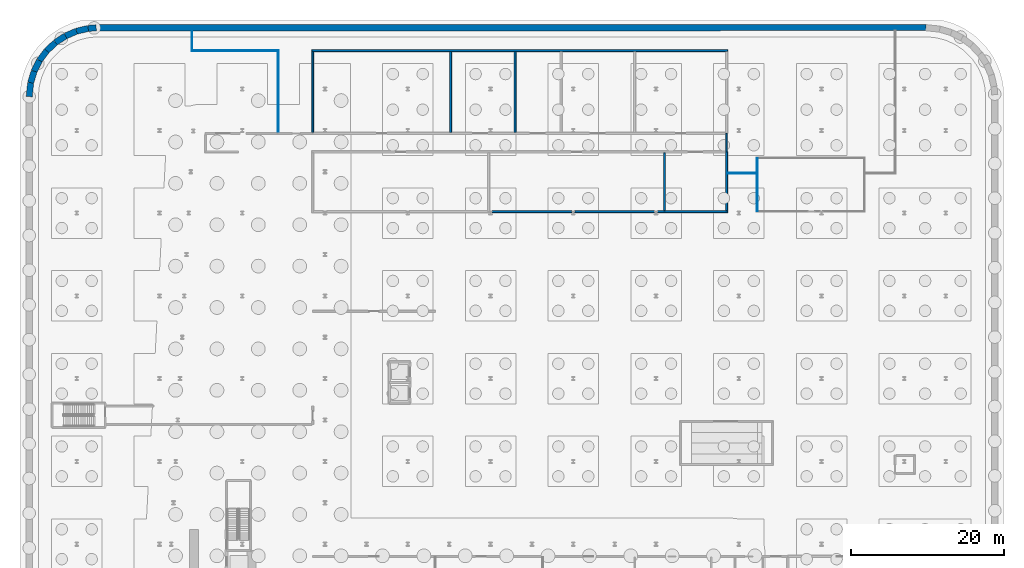
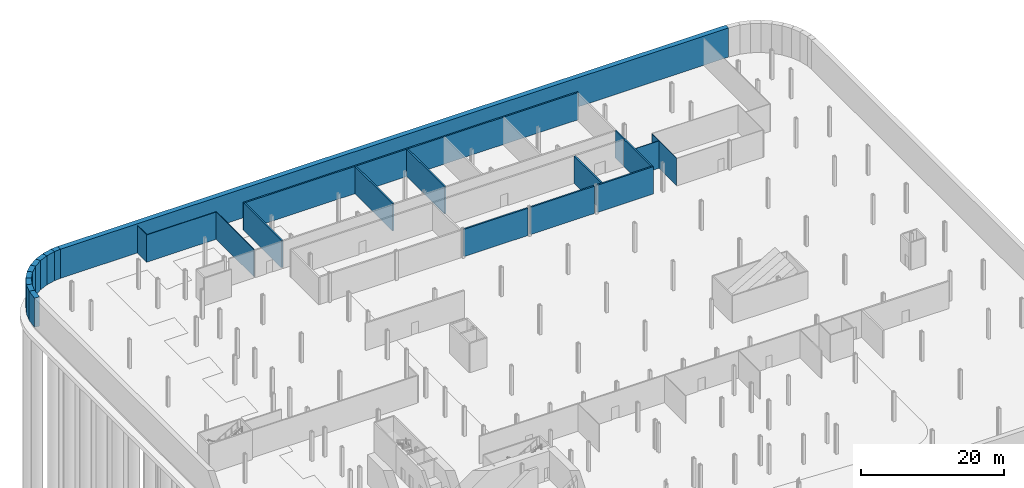
# One storey, part 17 of 23: 25 walls.
"""IFC4 building model written with IfcOpenShell, lengths in metres."""

from ifc_helpers import new_model, si_unit, direction, frame, frame_2d, origin, place, context, subcontext, project, spatial, rectangle, extrude, material, layer, layer_set, type_object, element, save


model = new_model("IFC4")

# Units and contexts
model_context = context("Model", 3, precision=1e-05, world=origin(), true_north=direction((0.0, 1.0)))
body_context = subcontext(model_context, "Body", "Model", "MODEL_VIEW")
ifc_project = project(units=[si_unit("LENGTHUNIT", "METRE"), si_unit("AREAUNIT", "SQUARE_METRE"), si_unit("VOLUMEUNIT", "CUBIC_METRE"), si_unit("PLANEANGLEUNIT", "RADIAN"), si_unit("MASSUNIT", "GRAM", prefix="KILO")], contexts=[model_context])

# Site, building, storey
site_placement = place(None, origin())
site = spatial("IfcSite", under=ifc_project, at=site_placement, CompositionType="ELEMENT")
building_placement = place(site_placement, origin())
building = spatial("IfcBuilding", under=site, at=building_placement, Name="Kheshtan School and Residences Tower", CompositionType="ELEMENT")
storey_placement = place(building_placement, frame((0.0, 0.0, -15.0)))
storey = spatial("IfcBuildingStorey", under=building, at=storey_placement, Name="B3", CompositionType="ELEMENT", Elevation=-15.0)

# Walls
ifc_material_1 = material(Name="Concrete C35/45", Category="concrete")
ifc_layer_1 = layer(ifc_material_1, 0.800048828125)
ifc_layer_set_1 = layer_set([ifc_layer_1], Name="Basement wall 800 Concrete C35/45")
wall_type_1 = type_object("IfcWallType", Name="Basement wall 800 Concrete C35/45", PredefinedType="SOLIDWALL", material=ifc_layer_set_1)
wall_1_placement = place(storey_placement, frame((9.0, 104.0, 0.0), z_axis=(0.0, 0.0, 1.0), x_axis=(0.105567043429, 0.994412187849, 0.0)))
element("IfcWall", 1, at=wall_1_placement, inside=storey, type_object=wall_type_1, Name="Secant pile wall 1", PredefinedType="SOLIDWALL", context=body_context, shape_type="SweptSolid", body=[
    extrude(rectangle(XDim=1.829345703125, YDim=0.800048828125, at=frame_2d((0.91455078125, 0.0))), origin(), (0.0, 0.0, 1.0), 5.0),
])
wall_2_placement = place(storey_placement, frame((9.193115234375, 105.819091796875, 0.0), z_axis=(0.0, 0.0, 1.0), x_axis=(0.287147763375, 0.957886299092, 0.0)))
element("IfcWall", 2, at=wall_2_placement, inside=storey, type_object=wall_type_1, Name="Secant pile wall 2", PredefinedType="SOLIDWALL", context=body_context, shape_type="SweptSolid", body=[
    extrude(rectangle(XDim=1.56689453125, YDim=0.800048828125, at=frame_2d((0.783447265625, 0.0))), origin(), (0.0, 0.0, 1.0), 5.0),
])
wall_3_placement = place(storey_placement, frame((9.64306640625, 107.320068359375, 0.0), z_axis=(0.0, 0.0, 1.0), x_axis=(0.448459314462, 0.893803246399, 0.0)))
element("IfcWall", 3, at=wall_3_placement, inside=storey, type_object=wall_type_1, Name="Secant pile wall 3", PredefinedType="SOLIDWALL", context=body_context, shape_type="SweptSolid", body=[
    extrude(rectangle(XDim=1.5673828125, YDim=0.800048828125, at=frame_2d((0.78369140625, 0.0))), origin(), (0.0, 0.0, 1.0), 5.0),
])
wall_4_placement = place(storey_placement, frame((10.345947265625, 108.720947265625, 0.0), z_axis=(0.0, 0.0, 1.0), x_axis=(0.597630520512, 0.801771638905, 0.0)))
element("IfcWall", 4, at=wall_4_placement, inside=storey, type_object=wall_type_1, Name="Secant pile wall 4", PredefinedType="SOLIDWALL", context=body_context, shape_type="SweptSolid", body=[
    extrude(rectangle(XDim=1.56787109375, YDim=0.800048828125, at=frame_2d((0.783935546875, 0.0))), origin(), (0.0, 0.0, 1.0), 5.0),
])
wall_5_placement = place(storey_placement, frame((11.282958984375, 109.97802734375, 0.0), z_axis=(0.0, 0.0, 1.0), x_axis=(0.726995868662, 0.686641833089, 0.0)))
element("IfcWall", 5, at=wall_5_placement, inside=storey, type_object=wall_type_1, Name="Secant pile wall 5", PredefinedType="SOLIDWALL", context=body_context, shape_type="SweptSolid", body=[
    extrude(rectangle(XDim=1.56689453125, YDim=0.800048828125, at=frame_2d((0.783447265625, 0.0))), origin(), (0.0, 0.0, 1.0), 5.0),
])
wall_6_placement = place(storey_placement, frame((12.422119140625, 111.053955078125, 0.0), z_axis=(0.0, 0.0, 1.0), x_axis=(0.835603348101, 0.549333272834, 0.0)))
element("IfcWall", 6, at=wall_6_placement, inside=storey, type_object=wall_type_1, Name="Secant pile wall 6", PredefinedType="SOLIDWALL", context=body_context, shape_type="SweptSolid", body=[
    extrude(rectangle(XDim=1.567626953125, YDim=0.800048828125, at=frame_2d((0.78369140625, 0.0))), origin(), (0.0, 0.0, 1.0), 5.0),
])
wall_7_placement = place(storey_placement, frame((13.73193359375, 111.9150390625, 0.0), z_axis=(0.0, 0.0, 1.0), x_axis=(0.918183437355, 0.396155493925, 0.0)))
element("IfcWall", 7, at=wall_7_placement, inside=storey, type_object=wall_type_1, Name="Secant pile wall 7", PredefinedType="SOLIDWALL", context=body_context, shape_type="SweptSolid", body=[
    extrude(rectangle(XDim=1.567138671875, YDim=0.800048828125, at=frame_2d((0.78369140625, 0.0))), origin(), (0.0, 0.0, 1.0), 5.0),
])
wall_8_placement = place(storey_placement, frame((15.1708984375, 112.535888671875, 0.0), z_axis=(0.0, 0.0, 1.0), x_axis=(0.972992949439, 0.230834833469, 0.0)))
element("IfcWall", 8, at=wall_8_placement, inside=storey, type_object=wall_type_1, Name="Secant pile wall 8", PredefinedType="SOLIDWALL", context=body_context, shape_type="SweptSolid", body=[
    extrude(rectangle(XDim=1.568603515625, YDim=0.800048828125, at=frame_2d((0.7841796875, 0.0))), origin(), (0.0, 0.0, 1.0), 5.0),
])
wall_9_placement = place(storey_placement, frame((16.697021484375, 112.89794921875, 0.0), z_axis=(0.0, 0.0, 1.0), x_axis=(0.996202832813, 0.087062712427, 0.0)))
element("IfcWall", 9, at=wall_9_placement, inside=storey, type_object=wall_type_1, Name="Secant pile wall 9", PredefinedType="SOLIDWALL", context=body_context, shape_type="SweptSolid", body=[
    extrude(rectangle(XDim=1.0458984375, YDim=0.800048828125, at=frame_2d((0.52294921875, 0.0))), origin(), (0.0, 0.0, 1.0), 5.0),
])
wall_10_placement = place(storey_placement, frame((17.739013671875, 112.989013671875, 0.0), z_axis=(0.0, 0.0, 1.0), x_axis=(0.999999994851, 0.000101480029, 0.0)))
element("IfcWall", 10, at=wall_10_placement, inside=storey, type_object=wall_type_1, Name="Secant pile wall 10", PredefinedType="SOLIDWALL", context=body_context, shape_type="SweptSolid", body=[
    extrude(rectangle(XDim=108.260986328125, YDim=0.800048828125, at=frame_2d((54.13037109375, 0.0))), origin(), (0.0, 0.0, 1.0), 5.0),
])
ifc_material_2 = material(Name="Gypsum board on steel studs with fire boards", Category="steel")
ifc_layer_2 = layer(ifc_material_2, 0.199951171875)
ifc_layer_set_2 = layer_set([ifc_layer_2], Name="Corridor wall 200")
wall_type_2 = type_object("IfcWallType", Name="Corridor wall 200", PredefinedType="PARTITIONING", material=ifc_layer_set_2)
wall_11_placement = place(storey_placement, frame((100.0, 96.800048828125, 0.0), z_axis=(0.0, 0.0, 1.0), x_axis=(0.0, 1.0, 0.0)))
element("IfcWall", 11, at=wall_11_placement, inside=storey, type_object=wall_type_2, Name="Partition B3-039", PredefinedType="PARTITIONING", context=body_context, shape_type="SweptSolid", body=[
    extrude(rectangle(XDim=2.39990234375, YDim=0.199951171875, at=frame_2d((1.199951171875, 0.0))), origin(), (0.0, 0.0, 1.0), 4.679931640625),
])
ifc_material_3 = material(Name="Gypsum board on steel studs", Category="steel")
ifc_layer_3 = layer(ifc_material_3, 0.10009765625)
ifc_layer_set_3 = layer_set([ifc_layer_3], Name="Gypsum partition 100")
wall_type_3 = type_object("IfcWallType", Name="Gypsum partition 100", PredefinedType="PARTITIONING", material=ifc_layer_set_3)
wall_12_placement = place(storey_placement, frame((30.199951171875, 110.0, 0.0), z_axis=(0.0, 0.0, 1.0), x_axis=(1.0, 0.0, 0.0)))
element("IfcWall", 12, at=wall_12_placement, inside=storey, type_object=wall_type_3, Name="Partition B3-003", PredefinedType="PARTITIONING", context=body_context, shape_type="SweptSolid", body=[
    extrude(rectangle(XDim=11.35009765625, YDim=0.10009765625, at=frame_2d((5.675048828125, 0.0))), origin(), (0.0, 0.0, 1.0), 4.679931640625),
])
wall_13_placement = place(storey_placement, frame((30.25, 110.050048828125, 0.0), z_axis=(0.0, 0.0, 1.0), x_axis=(0.0, 1.0, 0.0)))
element("IfcWall", 13, at=wall_13_placement, inside=storey, type_object=wall_type_3, Name="Partition B3-004", PredefinedType="PARTITIONING", context=body_context, shape_type="SweptSolid", body=[
    extrude(rectangle(XDim=2.541015625, YDim=0.10009765625, at=frame_2d((1.2705078125, 0.0))), origin(), (0.0, 0.0, 1.0), 4.679931640625),
])
wall_14_placement = place(storey_placement, frame((41.5, 99.300048828125, 0.0), z_axis=(0.0, 0.0, 1.0), x_axis=(0.0, 1.0, 0.0)))
element("IfcWall", 14, at=wall_14_placement, inside=storey, type_object=wall_type_3, Name="Partition B3-010", PredefinedType="PARTITIONING", context=body_context, shape_type="SweptSolid", body=[
    extrude(rectangle(XDim=10.64990234375, YDim=0.10009765625, at=frame_2d((5.324951171875, 0.0))), origin(), (0.0, 0.0, 1.0), 4.679931640625),
])
wall_15_placement = place(storey_placement, frame((100.125, 94.0, 0.0), z_axis=(0.0, 0.0, 1.0), x_axis=(1.0, 0.0, 0.0)))
element("IfcWall", 15, at=wall_15_placement, inside=storey, type_object=wall_type_3, Name="Partition B3-041", PredefinedType="PARTITIONING", context=body_context, shape_type="SweptSolid", body=[
    extrude(rectangle(XDim=3.824951171875, YDim=0.10009765625, at=frame_2d((1.91259765625, 0.0))), origin(), (0.0, 0.0, 1.0), 4.679931640625),
])
wall_16_placement = place(storey_placement, frame((104.0, 89.050048828125, 0.0), z_axis=(0.0, 0.0, 1.0), x_axis=(0.0, 1.0, 0.0)))
element("IfcWall", 16, at=wall_16_placement, inside=storey, type_object=wall_type_3, Name="Partition B3-046", PredefinedType="PARTITIONING", context=body_context, shape_type="SweptSolid", body=[
    extrude(rectangle(XDim=6.89990234375, YDim=0.10009765625, at=frame_2d((3.449951171875, 0.0))), origin(), (0.0, 0.0, 1.0), 4.679931640625),
])
ifc_material_4 = material(Name="Fire-board and steel stud wall with mineral wool", Category="steel")
ifc_layer_4 = layer(ifc_material_4, 0.25)
ifc_layer_set_4 = layer_set([ifc_layer_4], Name="Plant room wall 250")
wall_type_4 = type_object("IfcWallType", Name="Plant room wall 250", PredefinedType="PARTITIONING", material=ifc_layer_set_4)
wall_17_placement = place(storey_placement, frame((45.875, 110.0, 0.0), z_axis=(0.0, 0.0, 1.0), x_axis=(1.0, 0.0, 0.0)))
element("IfcWall", 17, at=wall_17_placement, inside=storey, type_object=wall_type_4, Name="Partition B3-012", PredefinedType="PARTITIONING", context=body_context, shape_type="SweptSolid", body=[
    extrude(rectangle(XDim=54.25, YDim=0.25, at=frame_2d((27.125, 0.0))), origin(), (0.0, 0.0, 1.0), 4.679931640625),
])
for number, where, z_axis, x_axis, name in (
    (18, (46.0, 99.324951171875, 0.0), (0.0, 0.0, 1.0), (0.0, 1.0, 0.0), "Partition B3-018"),
    (19, (64.0, 99.324951171875, 0.0), (0.0, 0.0, 1.0), (0.0, 1.0, 0.0), "Partition B3-023"),
):
    element("IfcWall", number, at=place(storey_placement, frame(where, z_axis=z_axis, x_axis=x_axis)), inside=storey, type_object=wall_type_4, Name=name, PredefinedType="PARTITIONING", context=body_context, shape_type="SweptSolid", body=[
        extrude(rectangle(XDim=10.550048828125, YDim=0.25, at=frame_2d((5.27490234375, 0.0))), origin(), (0.0, 0.0, 1.0), 4.679931640625),
    ])
wall_18_placement = place(storey_placement, frame((69.410888671875, 89.0, 0.0), z_axis=(0.0, 0.0, 1.0), x_axis=(1.0, 0.0, 0.0)))
element("IfcWall", 20, at=wall_18_placement, inside=storey, type_object=wall_type_4, Name="Partition B3-025", PredefinedType="PARTITIONING", context=body_context, shape_type="SweptSolid", body=[
    extrude(rectangle(XDim=10.378173828125, YDim=0.25, at=frame_2d((5.18896484375, 0.0))), origin(), (0.0, 0.0, 1.0), 4.679931640625),
])
wall_19_placement = place(storey_placement, frame((72.39990234375, 99.324951171875, 0.0), z_axis=(0.0, 0.0, 1.0), x_axis=(0.0, 1.0, 0.0)))
element("IfcWall", 21, at=wall_19_placement, inside=storey, type_object=wall_type_4, Name="Partition B3-026", PredefinedType="PARTITIONING", context=body_context, shape_type="SweptSolid", body=[
    extrude(rectangle(XDim=10.550048828125, YDim=0.25, at=frame_2d((5.27490234375, 0.0))), origin(), (0.0, 0.0, 1.0), 4.679931640625),
])
wall_20_placement = place(storey_placement, frame((80.2109375, 89.0, 0.0), z_axis=(0.0, 0.0, 1.0), x_axis=(1.0, 0.0, 0.0)))
element("IfcWall", 22, at=wall_20_placement, inside=storey, type_object=wall_type_4, Name="Partition B3-029", PredefinedType="PARTITIONING", context=body_context, shape_type="SweptSolid", body=[
    extrude(rectangle(XDim=10.378173828125, YDim=0.25, at=frame_2d((5.18896484375, 0.0))), origin(), (0.0, 0.0, 1.0), 4.679931640625),
])
wall_21_placement = place(storey_placement, frame((91.010986328125, 89.0, 0.0), z_axis=(0.0, 0.0, 1.0), x_axis=(1.0, 0.0, 0.0)))
element("IfcWall", 23, at=wall_21_placement, inside=storey, type_object=wall_type_4, Name="Partition B3-032", PredefinedType="PARTITIONING", context=body_context, shape_type="SweptSolid", body=[
    extrude(rectangle(XDim=9.114013671875, YDim=0.25, at=frame_2d((4.55712890625, 0.0))), origin(), (0.0, 0.0, 1.0), 4.679931640625),
])
wall_22_placement = place(storey_placement, frame((91.89990234375, 89.125, 0.0), z_axis=(0.0, 0.0, 1.0), x_axis=(0.0, 1.0, 0.0)))
element("IfcWall", 24, at=wall_22_placement, inside=storey, type_object=wall_type_4, Name="Partition B3-033", PredefinedType="PARTITIONING", context=body_context, shape_type="SweptSolid", body=[
    extrude(rectangle(XDim=7.550048828125, YDim=0.25, at=frame_2d((3.77490234375, 0.0))), origin(), (0.0, 0.0, 1.0), 4.679931640625),
])
wall_23_placement = place(storey_placement, frame((100.0, 89.125, 0.0), z_axis=(0.0, 0.0, 1.0), x_axis=(0.0, 1.0, 0.0)))
element("IfcWall", 25, at=wall_23_placement, inside=storey, type_object=wall_type_4, Name="Partition B3-038", PredefinedType="PARTITIONING", context=body_context, shape_type="SweptSolid", body=[
    extrude(rectangle(XDim=7.675048828125, YDim=0.25, at=frame_2d((3.83740234375, 0.0))), origin(), (0.0, 0.0, 1.0), 4.679931640625),
])

save(model, "model.ifc")
